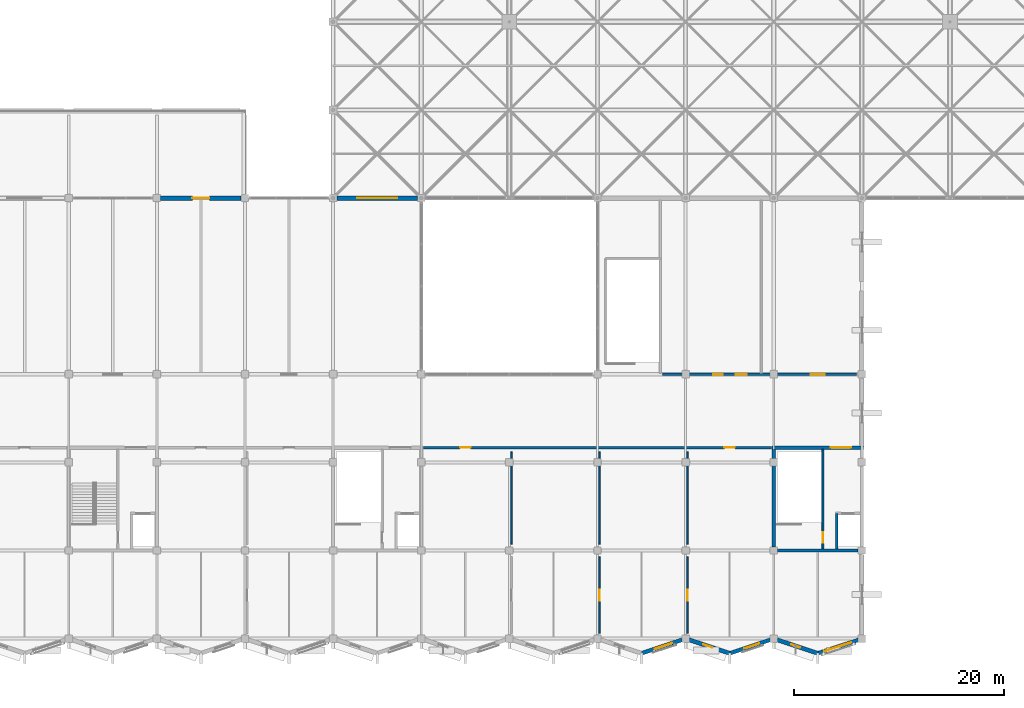
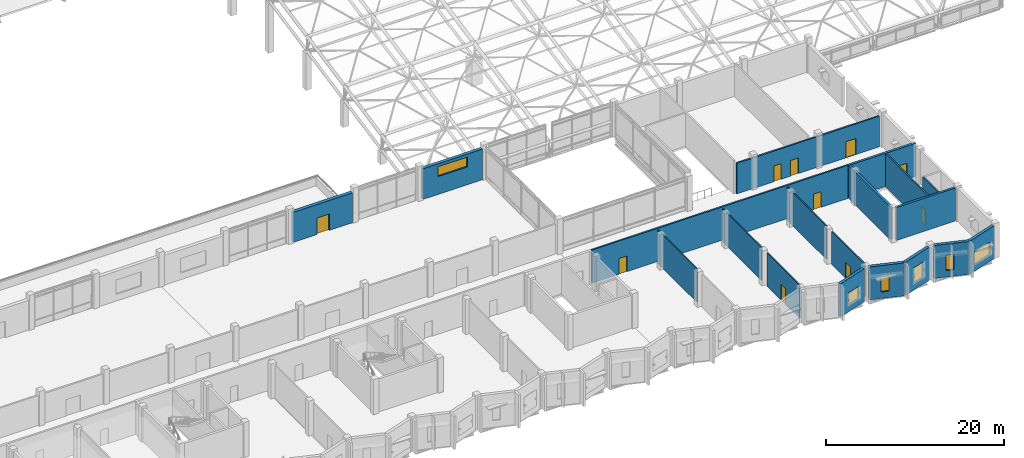
# One storey, part 91 of 110: 19 walls, 10 doors, 6 windows, 16 openings.
"""IFC4 building model written with IfcOpenShell, lengths in metres."""

import ifcopenshell
import ifcopenshell.guid

model = None  # the IFC model being written
_history = None  # IfcOwnerHistory: only IFC2X3 demands one
_inside = {}  # id of a spatial element -> (the spatial element, [elements in it])
_under = {}  # id of a project, library or spatial element -> (it, [spatial elements below it])
_declared = {}  # id of a project -> (the project, [libraries it declares])
_typed = {}  # id of a type object -> (the type object, [elements of that type])
_made_of = {}  # id of a material, layer set ... -> (it, [elements and type objects made of it])


def new_model(schema):
    """Start an empty IFC model of exactly this schema.

    Asked for "IFC4X3", IfcOpenShell would pick the latest addendum, in which some entities
    have other attributes; the version numbers below select the first issue.
    IFC2X3 requires an IfcOwnerHistory on every rooted entity: one is made here for all.
    """
    global model, _history
    if schema == "IFC4X3":
        model = ifcopenshell.file(schema_version=(4, 3, 0, 0))
    else:
        model = ifcopenshell.file(schema=schema)
    _inside.clear()
    _under.clear()
    _declared.clear()
    _typed.clear()
    _made_of.clear()
    _history = None
    if model.schema == "IFC2X3":
        org = make("IfcOrganization", Name="unknown")
        user = make(
            "IfcPersonAndOrganization",
            ThePerson=make("IfcPerson", FamilyName="unknown"),
            TheOrganization=org,
        )
        app = make(
            "IfcApplication",
            ApplicationDeveloper=org,
            Version="unknown",
            ApplicationFullName="unknown",
            ApplicationIdentifier="unknown",
        )
        _history = make(
            "IfcOwnerHistory",
            OwningUser=user,
            OwningApplication=app,
            ChangeAction="ADDED",
            CreationDate=0,
        )
    return model


def make(cls, **values):
    """One entity of the class cls with the attributes given. An attribute that is None is left unset."""
    return model.create_entity(
        cls, **{name: value for name, value in values.items() if value is not None}
    )


def rooted(cls, **values):
    """An entity with a GlobalId (a new one), such as an element, a storey or a relation."""
    return make(cls, GlobalId=ifcopenshell.guid.new(), OwnerHistory=_history, **values)


def si_unit(unit_type, name, prefix=None):
    """IfcSIUnit, for example si_unit("LENGTHUNIT", "METRE", prefix="MILLI")."""
    return make("IfcSIUnit", UnitType=unit_type, Prefix=prefix, Name=name)


def assignment(units):
    """IfcUnitAssignment: the units of a project."""
    return None if units is None else make("IfcUnitAssignment", Units=units)


def point(xyz):
    """IfcCartesianPoint."""
    return None if xyz is None else make("IfcCartesianPoint", Coordinates=xyz)


def direction(xyz):
    """IfcDirection."""
    return None if xyz is None else make("IfcDirection", DirectionRatios=xyz)


def frame(location, z_axis=None, x_axis=None):
    """IfcAxis2Placement3D, a coordinate frame: its origin and axes. An axis left out is left unset."""
    return make(
        "IfcAxis2Placement3D",
        Location=point(location),
        Axis=direction(z_axis),
        RefDirection=direction(x_axis),
    )


def frame_2d(location, x_axis=None):
    """IfcAxis2Placement2D, a coordinate frame in the plane: its origin and x axis."""
    return make(
        "IfcAxis2Placement2D", Location=point(location), RefDirection=direction(x_axis)
    )


def origin():
    """The frame at (0, 0, 0) with its axes left unset."""
    return frame((0.0, 0.0, 0.0))


def place(relative_to, where):
    """IfcLocalPlacement: puts the frame where relative to a parent placement (None: the world)."""
    return make(
        "IfcLocalPlacement", PlacementRelTo=relative_to, RelativePlacement=where
    )


def context(
    kind, dimensions, precision=None, world=None, true_north=None, identifier=None
):
    """IfcGeometricRepresentationContext, for example the 3D "Model" context."""
    return make(
        "IfcGeometricRepresentationContext",
        ContextIdentifier=identifier,
        ContextType=kind,
        CoordinateSpaceDimension=dimensions,
        Precision=precision,
        WorldCoordinateSystem=world,
        TrueNorth=true_north,
    )


def subcontext(parent, identifier, kind, view, scale=None):
    """IfcGeometricRepresentationSubContext, for example "Body" below "Model"."""
    return make(
        "IfcGeometricRepresentationSubContext",
        ContextIdentifier=identifier,
        ContextType=kind,
        ParentContext=parent,
        TargetScale=scale,
        TargetView=view,
    )


def project(units=None, contexts=None):
    """IfcProject with its units and contexts."""
    return rooted(
        "IfcProject",
        Name="project",
        RepresentationContexts=contexts,
        UnitsInContext=assignment(units),
    )


def spatial(cls, under=None, at=None, **own):
    """A site, building, storey or space (cls), placed at a placement, below another one or the project."""
    s = rooted(cls, ObjectPlacement=at, **own)
    if under is not None:
        _under.setdefault(under.id(), (under, []))[1].append(s)
    return s


def profile(cls, at=None, kind="AREA", **sizes):
    """A parametric profile (cls). Its sizes go by their IFC names, for example OverallWidth=200.0."""
    return make(cls, ProfileType=kind, Position=at, **sizes)


def rectangle(**sizes):
    """IfcRectangleProfileDef."""
    return profile("IfcRectangleProfileDef", **sizes)


def extrude(swept, where, along, depth):
    """IfcExtrudedAreaSolid: the profile swept, set in the frame where, extruded along a direction by depth."""
    return make(
        "IfcExtrudedAreaSolid",
        SweptArea=swept,
        Position=where,
        ExtrudedDirection=direction(along),
        Depth=depth,
    )


def shape(context_of_items, identifier, shape_type, items):
    """IfcShapeRepresentation: the items that make up one representation, for example the "Body"."""
    return make(
        "IfcShapeRepresentation",
        ContextOfItems=context_of_items,
        RepresentationIdentifier=identifier,
        RepresentationType=shape_type,
        Items=items,
    )


def material(Name=None, Category=None):
    """IfcMaterial."""
    return make("IfcMaterial", Name=Name, Category=Category)


def layer(
    of_material, thickness, ventilated=None, Name=None, Category=None, Priority=None
):
    """IfcMaterialLayer: one layer of a wall or slab, of a material (None: an air gap)."""
    return make(
        "IfcMaterialLayer",
        Material=of_material,
        LayerThickness=thickness,
        IsVentilated=ventilated,
        Name=Name,
        Category=Category,
        Priority=Priority,
    )


def layer_set(layers, Name=None):
    """IfcMaterialLayerSet."""
    return make("IfcMaterialLayerSet", MaterialLayers=layers, LayerSetName=Name)


def made_of(thing, what):
    """Note that an element or type object is made of a material, layer set ...; save() writes the relation."""
    if what is not None:
        _made_of.setdefault(what.id(), (what, []))[1].append(thing)
    return thing


def type_object(cls, material=None, **own):
    """A type object (cls), such as IfcWallType, which elements share."""
    return made_of(rooted(cls, **own), material)


def element(
    cls,
    number,
    at=None,
    inside=None,
    cuts=None,
    type_object=None,
    material=None,
    context=None,
    identifier="Body",
    shape_type=None,
    held_by="IfcProductDefinitionShape",
    body=None,
    shapes=None,
    **own,
):
    """One element of the class cls, such as IfcWall. Its Tag is "e" and its number.

    at: its placement. inside: the storey or other place that contains it. cuts: it is an
    opening in that element (IfcRelVoidsElement). A single representation is given by context,
    identifier, shape_type and body (its items); several are given by shapes. held_by: the class
    of the entity that holds the representations. save() writes the other relations.
    """
    e = rooted(cls, Tag="e%d" % number, ObjectPlacement=at, **own)
    if body is not None:
        shapes = [shape(context, identifier, shape_type, body)]
    if shapes is not None:
        e.Representation = make(held_by, Representations=shapes)
    if inside is not None:
        _inside.setdefault(inside.id(), (inside, []))[1].append(e)
    if cuts is not None:
        rooted(
            "IfcRelVoidsElement", RelatingBuildingElement=cuts, RelatedOpeningElement=e
        )
    if type_object is not None:
        _typed.setdefault(type_object.id(), (type_object, []))[1].append(e)
    return made_of(e, material)


def fill(opening, filler):
    """IfcRelFillsElement: the door or window that sits in an opening."""
    return rooted(
        "IfcRelFillsElement",
        RelatingOpeningElement=opening,
        RelatedBuildingElement=filler,
    )


def aggregate(whole, parts):
    """IfcRelAggregates: a whole, such as a stair, and the parts it consists of."""
    return rooted("IfcRelAggregates", RelatingObject=whole, RelatedObjects=parts)


def save(model, path):
    """Write the relations noted so far, then the file.

    IfcRelAggregates (storeys below a building ...), IfcRelContainedInSpatialStructure (elements
    in a storey), IfcRelDefinesByType, IfcRelAssociatesMaterial and IfcRelDeclares: one each for
    every whole, place, type object, material and project.
    """
    for whole, parts in _under.values():
        aggregate(whole, parts)
    for where, things in _inside.values():
        rooted(
            "IfcRelContainedInSpatialStructure",
            RelatedElements=things,
            RelatingStructure=where,
        )
    for kind, things in _typed.values():
        rooted("IfcRelDefinesByType", RelatedObjects=things, RelatingType=kind)
    for what, things in _made_of.values():
        rooted("IfcRelAssociatesMaterial", RelatedObjects=things, RelatingMaterial=what)
    for by, libraries in _declared.values():
        rooted("IfcRelDeclares", RelatingContext=by, RelatedDefinitions=libraries)
    model.write(path)


model = new_model("IFC4")

# Units and contexts
model_context = context("Model", 3, precision=1e-05, world=origin(), true_north=direction((0.0, 1.0)))
body_context = subcontext(model_context, "Body", "Model", "MODEL_VIEW")
ifc_project = project(units=[si_unit("LENGTHUNIT", "METRE"), si_unit("AREAUNIT", "SQUARE_METRE"), si_unit("VOLUMEUNIT", "CUBIC_METRE"), si_unit("PLANEANGLEUNIT", "RADIAN"), si_unit("MASSUNIT", "GRAM", prefix="KILO")], contexts=[model_context])

# Site, building, storey
site_placement = place(None, origin())
site = spatial("IfcSite", under=ifc_project, at=site_placement, CompositionType="ELEMENT")
building_placement = place(site_placement, origin())
building = spatial("IfcBuilding", under=site, at=building_placement, Name="Qawsi Khor Wholesale Market", CompositionType="ELEMENT")
storey_placement = place(building_placement, frame((0.0, 0.0, 11.39990234375)))
storey = spatial("IfcBuildingStorey", under=building, at=storey_placement, Name="L02", CompositionType="ELEMENT", Elevation=11.39990234375)

# Walls
ifc_material_1 = material(Name="Concrete C40/50", Category="concrete")
ifc_layer_1 = layer(ifc_material_1, 0.300048828125, Name="Concrete C40/50")
ifc_layer_set_1 = layer_set([ifc_layer_1], Name="Concrete C40/50")
wall_type_1 = type_object("IfcWallType", Name="Core Shear Wall RC 300 C40/50", PredefinedType="SHEAR", material=ifc_layer_set_1)
wall_1_placement = place(storey_placement, frame((192.844970703125, 8.39990234375, 0.0), z_axis=(0.0, 0.0, 1.0), x_axis=(-1.0, 0.0, 0.0)))
element("IfcWall", 1, at=wall_1_placement, inside=storey, type_object=wall_type_1, Name="Core C06 south shear wall L02", PredefinedType="SHEAR", context=body_context, shape_type="SweptSolid", body=[
    extrude(rectangle(XDim=7.68994140625, YDim=0.300048828125, at=frame_2d((3.844970703125, 0.0))), origin(), (0.0, 0.0, 1.0), 4.52001953125),
])
wall_2_placement = place(storey_placement, frame((184.800048828125, 8.7548828125, 0.0), z_axis=(0.0, 0.0, 1.0), x_axis=(0.0, 1.0, 0.0)))
element("IfcWall", 2, at=wall_2_placement, inside=storey, type_object=wall_type_1, Name="Core C06 west shear wall L02", PredefinedType="SHEAR", context=body_context, shape_type="SweptSolid", body=[
    extrude(rectangle(XDim=9.295166015625, YDim=0.300048828125, at=frame_2d((4.6474609375, 0.0))), origin(), (0.0, 0.0, 1.0), 4.52001953125),
])

# Wall, opening, door
wall_3_placement = place(storey_placement, frame((184.64990234375, 18.199951171875, 0.0), z_axis=(0.0, 0.0, 1.0), x_axis=(1.0, 0.0, 0.0)))
wall_3 = element("IfcWall", 3, at=wall_3_placement, inside=storey, type_object=wall_type_1, Name="Core C06 north shear wall L02", PredefinedType="SHEAR", context=body_context, shape_type="SweptSolid", body=[
    extrude(rectangle(XDim=8.7001953125, YDim=0.300048828125, at=frame_2d((4.35009765625, 0.0))), origin(), (0.0, 0.0, 1.0), 4.52001953125),
])
opening_1_placement = place(wall_3_placement, frame((5.570068359375, 0.0, 0.0)))
opening_1 = element("IfcOpeningElement", 4, at=opening_1_placement, cuts=wall_3, Name="Opening ID-01", PredefinedType="OPENING", context=body_context, shape_type="SweptSolid", body=[
    extrude(rectangle(XDim=1.9599609375, YDim=2.199951171875, at=frame_2d((0.97998046875, 1.10009765625))), frame((0.0, 0.159912109375, 0.0), z_axis=(0.0, -1.0, 0.0), x_axis=(1.0, 0.0, 0.0)), (0.0, 0.0, 1.0), 0.320068359375),
])
ifc_material_2 = material(Name="Steel Fire Door", Category="steel")
door_type_1 = type_object("IfcDoorType", Name="Stair & Core Fire Door 1960x2200 FD90S", OperationType="NOTDEFINED", PredefinedType="DOOR", material=ifc_material_2)
door_1_placement = place(opening_1_placement, origin())
door_1 = element("IfcDoor", 5, at=door_1_placement, inside=storey, type_object=door_type_1, Name="Core C06 fire door L02", OperationType="DOUBLE_DOOR_SINGLE_SWING", OverallHeight=2.199951171875, OverallWidth=1.9599609375, PredefinedType="DOOR", context=body_context, shape_type="SweptSolid", body=[
    extrude(rectangle(XDim=1.9599609375, YDim=2.199951171875, at=frame_2d((0.97998046875, 1.10009765625))), frame((0.0, 0.02490234375, 0.0), z_axis=(0.0, -1.0, 0.0), x_axis=(1.0, 0.0, 0.0)), (0.0, 0.0, 1.0), 0.050048828125),
])
fill(opening_1, door_1)

# Wall, openings, doors
ifc_material_3 = material(Name="Gypsum Fireboard on Steel Stud", Category="steel")
ifc_layer_2 = layer(ifc_material_3, 0.2099609375, Name="Gypsum Fireboard on Steel Stud")
ifc_layer_set_2 = layer_set([ifc_layer_2], Name="Gypsum Fireboard on Steel Stud")
wall_type_2 = type_object("IfcWallType", Name="Corridor Fire Partition Wall 210", PredefinedType="PARTITIONING", material=ifc_layer_set_2)
wall_4_placement = place(storey_placement, frame((151.39990234375, 18.199951171875, 0.0), z_axis=(0.0, 0.0, 1.0), x_axis=(1.0, 0.0, 0.0)))
wall_4 = element("IfcWall", 6, at=wall_4_placement, inside=storey, type_object=wall_type_2, Name="PW-L02-087", PredefinedType="PARTITIONING", context=body_context, shape_type="SweptSolid", body=[
    extrude(rectangle(XDim=33.2001953125, YDim=0.2099609375, at=frame_2d((16.60009765625, 0.0))), origin(), (0.0, 0.0, 1.0), 4.550048828125),
])
opening_2_placement = place(wall_4_placement, frame((3.5, 0.0, 0.0)))
opening_2 = element("IfcOpeningElement", 7, at=opening_2_placement, cuts=wall_4, Name="Opening ID-06", PredefinedType="OPENING", context=body_context, shape_type="SweptSolid", body=[
    extrude(rectangle(XDim=1.0, YDim=2.14990234375, at=frame_2d((0.5, 1.074951171875))), frame((0.0, 0.114990234375, 0.0), z_axis=(0.0, -1.0, 0.0), x_axis=(1.0, 0.0, 0.0)), (0.0, 0.0, 1.0), 0.22998046875),
])
opening_3_placement = place(wall_4_placement, frame((28.699951171875, 0.0, 0.0)))
opening_3 = element("IfcOpeningElement", 8, at=opening_3_placement, cuts=wall_4, Name="Opening ID-06", PredefinedType="OPENING", context=body_context, shape_type="SweptSolid", body=[
    extrude(rectangle(XDim=1.0, YDim=2.14990234375, at=frame_2d((0.5, 1.074951171875))), frame((0.0, 0.114990234375, 0.0), z_axis=(0.0, -1.0, 0.0), x_axis=(1.0, 0.0, 0.0)), (0.0, 0.0, 1.0), 0.22998046875),
])
ifc_material_4 = material(Name="Hardwood Timber Veneer", Category="wood")
door_type_2 = type_object("IfcDoorType", Name="Traders Office Single Door 1000x2150", OperationType="NOTDEFINED", PredefinedType="DOOR", material=ifc_material_4)
door_2_placement = place(opening_2_placement, origin())
door_2 = element("IfcDoor", 9, at=door_2_placement, inside=storey, type_object=door_type_2, Name="Traders Office Single Door 1000x2150 L02-093", OperationType="SINGLE_SWING_LEFT", OverallHeight=2.14990234375, OverallWidth=1.0, PredefinedType="DOOR", context=body_context, shape_type="SweptSolid", body=[
    extrude(rectangle(XDim=1.0, YDim=2.14990234375, at=frame_2d((0.5, 1.074951171875))), frame((0.0, 0.02490234375, 0.0), z_axis=(0.0, -1.0, 0.0), x_axis=(1.0, 0.0, 0.0)), (0.0, 0.0, 1.0), 0.050048828125),
])
fill(opening_2, door_2)
door_3_placement = place(opening_3_placement, origin())
door_3 = element("IfcDoor", 10, at=door_3_placement, inside=storey, type_object=door_type_2, Name="Traders Office Single Door 1000x2150 L02-094", OperationType="SINGLE_SWING_RIGHT", OverallHeight=2.14990234375, OverallWidth=1.0, PredefinedType="DOOR", context=body_context, shape_type="SweptSolid", body=[
    extrude(rectangle(XDim=1.0, YDim=2.14990234375, at=frame_2d((0.5, 1.074951171875))), frame((0.0, 0.02490234375, 0.0), z_axis=(0.0, -1.0, 0.0), x_axis=(1.0, 0.0, 0.0)), (0.0, 0.0, 1.0), 0.050048828125),
])
fill(opening_3, door_3)

wall_5_placement = place(storey_placement, frame((174.199951171875, 25.199951171875, 0.0), z_axis=(0.0, 0.0, 1.0), x_axis=(1.0, 0.0, 0.0)))
wall_5 = element("IfcWall", 11, at=wall_5_placement, inside=storey, type_object=wall_type_2, Name="PW-L02-096", PredefinedType="PARTITIONING", context=body_context, shape_type="SweptSolid", body=[
    extrude(rectangle(XDim=18.5, YDim=0.2099609375, at=frame_2d((9.25, 0.0))), origin(), (0.0, 0.0, 1.0), 4.2001953125),
])
opening_4_placement = place(wall_5_placement, frame((4.840087890625, 0.0, 0.0)))
opening_4 = element("IfcOpeningElement", 12, at=opening_4_placement, cuts=wall_5, Name="Opening ID-11", PredefinedType="OPENING", context=body_context, shape_type="SweptSolid", body=[
    extrude(rectangle(XDim=0.919921875, YDim=2.139892578125, at=frame_2d((0.4599609375, 1.06982421875))), frame((0.0, 0.114990234375, 0.0), z_axis=(0.0, -1.0, 0.0), x_axis=(1.0, 0.0, 0.0)), (0.0, 0.0, 1.0), 0.22998046875),
])
opening_5_placement = place(wall_5_placement, frame((6.985107421875, 0.0, 0.0)))
opening_5 = element("IfcOpeningElement", 13, at=opening_5_placement, cuts=wall_5, Name="Opening ID-12", PredefinedType="OPENING", context=body_context, shape_type="SweptSolid", body=[
    extrude(rectangle(XDim=1.030029296875, YDim=2.14990234375, at=frame_2d((0.51513671875, 1.074951171875))), frame((0.0, 0.114990234375, 0.0), z_axis=(0.0, -1.0, 0.0), x_axis=(1.0, 0.0, 0.0)), (0.0, 0.0, 1.0), 0.22998046875),
])
opening_6_placement = place(wall_5_placement, frame((14.139892578125, 0.0, 0.0)))
opening_6 = element("IfcOpeningElement", 14, at=opening_6_placement, cuts=wall_5, Name="Opening ID-13", PredefinedType="OPENING", context=body_context, shape_type="SweptSolid", body=[
    extrude(rectangle(XDim=1.320068359375, YDim=2.199951171875, at=frame_2d((0.66015625, 1.10009765625))), frame((0.0, 0.114990234375, 0.0), z_axis=(0.0, -1.0, 0.0), x_axis=(1.0, 0.0, 0.0)), (0.0, 0.0, 1.0), 0.22998046875),
])
ifc_material_5 = material(Name="High-Pressure Laminate", Category="steel")
door_type_3 = type_object("IfcDoorType", Name="Accessible WC Door 1030x2150", OperationType="NOTDEFINED", PredefinedType="DOOR", material=ifc_material_5)
door_4_placement = place(opening_5_placement, origin())
door_4 = element("IfcDoor", 15, at=door_4_placement, inside=storey, type_object=door_type_3, Name="Accessible WC Door 1030x2150 L02-107", OperationType="SINGLE_SWING_RIGHT", OverallHeight=2.14990234375, OverallWidth=1.030029296875, PredefinedType="DOOR", context=body_context, shape_type="SweptSolid", body=[
    extrude(rectangle(XDim=1.030029296875, YDim=2.14990234375, at=frame_2d((0.51513671875, 1.074951171875))), frame((0.0, 0.02490234375, 0.0), z_axis=(0.0, -1.0, 0.0), x_axis=(1.0, 0.0, 0.0)), (0.0, 0.0, 1.0), 0.050048828125),
])
fill(opening_5, door_4)
ifc_material_6 = material(Name="Galvanised Steel Fire Door", Category="steel")
door_type_4 = type_object("IfcDoorType", Name="Plant & Riser Fire Door 1320x2200 FD90S", OperationType="NOTDEFINED", PredefinedType="DOOR", material=ifc_material_6)
door_5_placement = place(opening_6_placement, origin())
door_5 = element("IfcDoor", 16, at=door_5_placement, inside=storey, type_object=door_type_4, Name="Plant & Riser Fire Door 1320x2200 FD90S L02-108", OperationType="SINGLE_SWING_RIGHT", OverallHeight=2.199951171875, OverallWidth=1.320068359375, PredefinedType="DOOR", context=body_context, shape_type="SweptSolid", body=[
    extrude(rectangle(XDim=1.320068359375, YDim=2.199951171875, at=frame_2d((0.66015625, 1.10009765625))), frame((0.0, 0.02490234375, 0.0), z_axis=(0.0, -1.0, 0.0), x_axis=(1.0, 0.0, 0.0)), (0.0, 0.0, 1.0), 0.050048828125),
])
fill(opening_6, door_5)
door_type_5 = type_object("IfcDoorType", Name="Public Toilet Entrance Door 920x2140", OperationType="NOTDEFINED", PredefinedType="DOOR", material=ifc_material_5)
door_6_placement = place(opening_4_placement, origin())
door_6 = element("IfcDoor", 17, at=door_6_placement, inside=storey, type_object=door_type_5, Name="Public Toilet Entrance Door 920x2140 L02-106", OperationType="SINGLE_SWING_LEFT", OverallHeight=2.139892578125, OverallWidth=0.919921875, PredefinedType="DOOR", context=body_context, shape_type="SweptSolid", body=[
    extrude(rectangle(XDim=0.919921875, YDim=2.139892578125, at=frame_2d((0.4599609375, 1.06982421875))), frame((0.0, 0.02490234375, 0.0), z_axis=(0.0, -1.0, 0.0), x_axis=(1.0, 0.0, 0.0)), (0.0, 0.0, 1.0), 0.050048828125),
])
fill(opening_4, door_6)

# Walls
ifc_layer_3 = layer(ifc_material_1, 0.219970703125, Name="Concrete C40/50")
ifc_layer_set_3 = layer_set([ifc_layer_3], Name="Concrete C40/50")
wall_type_3 = type_object("IfcWallType", Name="Lift & Stair Shaft Wall RC 220", PredefinedType="SOLIDWALL", material=ifc_layer_set_3)
wall_6_placement = place(storey_placement, frame((190.81005859375, 8.56005859375, 0.0), z_axis=(0.0, 0.0, 1.0), x_axis=(0.0, 1.0, 0.0)))
element("IfcWall", 18, at=wall_6_placement, inside=storey, type_object=wall_type_3, Name="Lift PL-04 shaft wall W L02", PredefinedType="SOLIDWALL", context=body_context, shape_type="SweptSolid", body=[
    extrude(rectangle(XDim=3.389892578125, YDim=0.219970703125, at=frame_2d((1.69482421875, 0.0))), origin(), (0.0, 0.0, 1.0), 4.52001953125),
])
ifc_material_7 = material(Name="Gypsum Board on Metal Stud", Category="gypsum")
ifc_layer_4 = layer(ifc_material_7, 0.14990234375, Name="Gypsum Board on Metal Stud")
ifc_layer_set_4 = layer_set([ifc_layer_4], Name="Gypsum Board on Metal Stud")
wall_type_4 = type_object("IfcWallType", Name="Office Partition Wall 150", PredefinedType="PARTITIONING", material=ifc_layer_set_4)
wall_7_placement = place(storey_placement, frame((159.800048828125, 9.0, 0.0), z_axis=(0.0, 0.0, 1.0), x_axis=(0.0, 1.0, 0.0)))
element("IfcWall", 19, at=wall_7_placement, inside=storey, type_object=wall_type_4, Name="PW-L02-089", PredefinedType="PARTITIONING", context=body_context, shape_type="SweptSolid", body=[
    extrude(rectangle(XDim=8.800048828125, YDim=0.14990234375, at=frame_2d((4.39990234375, 0.0))), origin(), (0.0, 0.0, 1.0), 4.550048828125),
])

# Wall, opening, door
wall_8_placement = place(storey_placement, frame((168.199951171875, 0.5, 0.0), z_axis=(0.0, 0.0, 1.0), x_axis=(0.0, 1.0, 0.0)))
wall_8 = element("IfcWall", 20, at=wall_8_placement, inside=storey, type_object=wall_type_4, Name="PW-L02-090", PredefinedType="PARTITIONING", context=body_context, shape_type="SweptSolid", body=[
    extrude(rectangle(XDim=7.300048828125, YDim=0.14990234375, at=frame_2d((3.64990234375, 0.0))), origin(), (0.0, 0.0, 1.0), 4.550048828125),
])
opening_7_placement = place(wall_8_placement, frame((3.10009765625, 0.0, 0.0)))
opening_7 = element("IfcOpeningElement", 21, at=opening_7_placement, cuts=wall_8, Name="Opening ID-07", PredefinedType="OPENING", context=body_context, shape_type="SweptSolid", body=[
    extrude(rectangle(XDim=1.06005859375, YDim=2.179931640625, at=frame_2d((0.530029296875, 1.08984375))), frame((0.0, 0.0849609375, 0.0), z_axis=(0.0, -1.0, 0.0), x_axis=(1.0, 0.0, 0.0)), (0.0, 0.0, 1.0), 0.169921875),
])
door_type_6 = type_object("IfcDoorType", Name="Clearinghouse Suite Door 1060x2180", OperationType="NOTDEFINED", PredefinedType="DOOR", material=ifc_material_4)
door_7_placement = place(opening_7_placement, origin())
door_7 = element("IfcDoor", 22, at=door_7_placement, inside=storey, type_object=door_type_6, Name="Clearinghouse Suite Door 1060x2180 L02-096", OperationType="SINGLE_SWING_LEFT", OverallHeight=2.179931640625, OverallWidth=1.06005859375, PredefinedType="DOOR", context=body_context, shape_type="SweptSolid", body=[
    extrude(rectangle(XDim=1.06005859375, YDim=2.179931640625, at=frame_2d((0.530029296875, 1.08984375))), frame((0.0, 0.02490234375, 0.0), z_axis=(0.0, -1.0, 0.0), x_axis=(1.0, 0.0, 0.0)), (0.0, 0.0, 1.0), 0.050048828125),
])
fill(opening_7, door_7)

# Wall
wall_9_placement = place(storey_placement, frame((168.199951171875, 9.0, 0.0), z_axis=(0.0, 0.0, 1.0), x_axis=(0.0, 1.0, 0.0)))
element("IfcWall", 23, at=wall_9_placement, inside=storey, type_object=wall_type_4, Name="PW-L02-091", PredefinedType="PARTITIONING", context=body_context, shape_type="SweptSolid", body=[
    extrude(rectangle(XDim=8.800048828125, YDim=0.14990234375, at=frame_2d((4.39990234375, 0.0))), origin(), (0.0, 0.0, 1.0), 4.550048828125),
])

# Wall, opening, door
wall_10_placement = place(storey_placement, frame((176.60009765625, 0.5, 0.0), z_axis=(0.0, 0.0, 1.0), x_axis=(0.0, 1.0, 0.0)))
wall_10 = element("IfcWall", 24, at=wall_10_placement, inside=storey, type_object=wall_type_4, Name="PW-L02-092", PredefinedType="PARTITIONING", context=body_context, shape_type="SweptSolid", body=[
    extrude(rectangle(XDim=7.300048828125, YDim=0.14990234375, at=frame_2d((3.64990234375, 0.0))), origin(), (0.0, 0.0, 1.0), 4.550048828125),
])
opening_8_placement = place(wall_10_placement, frame((3.10009765625, 0.0, 0.0)))
opening_8 = element("IfcOpeningElement", 25, at=opening_8_placement, cuts=wall_10, Name="Opening ID-07", PredefinedType="OPENING", context=body_context, shape_type="SweptSolid", body=[
    extrude(rectangle(XDim=1.06005859375, YDim=2.179931640625, at=frame_2d((0.530029296875, 1.08984375))), frame((0.0, 0.0849609375, 0.0), z_axis=(0.0, -1.0, 0.0), x_axis=(1.0, 0.0, 0.0)), (0.0, 0.0, 1.0), 0.169921875),
])
door_8_placement = place(opening_8_placement, origin())
door_8 = element("IfcDoor", 26, at=door_8_placement, inside=storey, type_object=door_type_6, Name="Clearinghouse Suite Door 1060x2180 L02-097", OperationType="SINGLE_SWING_RIGHT", OverallHeight=2.179931640625, OverallWidth=1.06005859375, PredefinedType="DOOR", context=body_context, shape_type="SweptSolid", body=[
    extrude(rectangle(XDim=1.06005859375, YDim=2.179931640625, at=frame_2d((0.530029296875, 1.08984375))), frame((0.0, 0.02490234375, 0.0), z_axis=(0.0, -1.0, 0.0), x_axis=(1.0, 0.0, 0.0)), (0.0, 0.0, 1.0), 0.050048828125),
])
fill(opening_8, door_8)

# Wall
wall_11_placement = place(storey_placement, frame((176.60009765625, 9.0, 0.0), z_axis=(0.0, 0.0, 1.0), x_axis=(0.0, 1.0, 0.0)))
element("IfcWall", 27, at=wall_11_placement, inside=storey, type_object=wall_type_4, Name="PW-L02-093", PredefinedType="PARTITIONING", context=body_context, shape_type="SweptSolid", body=[
    extrude(rectangle(XDim=8.800048828125, YDim=0.14990234375, at=frame_2d((4.39990234375, 0.0))), origin(), (0.0, 0.0, 1.0), 4.550048828125),
])

# Wall, opening, door
ifc_layer_5 = layer(ifc_material_1, 0.429931640625, Name="Concrete C40/50")
ifc_layer_set_5 = layer_set([ifc_layer_5], Name="Concrete C40/50")
wall_type_5 = type_object("IfcWallType", Name="Sculpted Ribbed Concrete Facade Wall 430", PredefinedType="SOLIDWALL", material=ifc_layer_set_5)
wall_12_placement = place(storey_placement, frame((126.35498046875, 42.0, 0.0), z_axis=(0.0, 0.0, 1.0), x_axis=(1.0, 0.0, 0.0)))
wall_12 = element("IfcWall", 28, at=wall_12_placement, inside=storey, type_object=wall_type_5, Name="EW-L02-SWN-15", PredefinedType="SOLIDWALL", context=body_context, shape_type="SweptSolid", body=[
    extrude(rectangle(XDim=7.68994140625, YDim=0.429931640625, at=frame_2d((3.844970703125, 0.0))), origin(), (0.0, 0.0, 1.0), 4.110107421875),
])
opening_9_placement = place(wall_12_placement, frame((3.034912109375, 0.0, 0.0)))
opening_9 = element("IfcOpeningElement", 29, at=opening_9_placement, cuts=wall_12, Name="Opening ED-05", PredefinedType="OPENING", context=body_context, shape_type="SweptSolid", body=[
    extrude(rectangle(XDim=1.6201171875, YDim=2.260009765625, at=frame_2d((0.81005859375, 1.1298828125))), frame((0.0, 0.224853515625, 0.0), z_axis=(0.0, -1.0, 0.0), x_axis=(1.0, 0.0, 0.0)), (0.0, 0.0, 1.0), 0.449951171875),
])
ifc_material_8 = material(Name="Powder-Coated Galvanised Steel & Glazing", Category="steel")
door_type_7 = type_object("IfcDoorType", Name="Terrace Access Glazed Door 1620x2260", OperationType="NOTDEFINED", PredefinedType="DOOR", material=ifc_material_8)
door_9_placement = place(opening_9_placement, origin())
door_9 = element("IfcDoor", 30, at=door_9_placement, inside=storey, type_object=door_type_7, Name="Terrace door L02 Court Balcony 15", OperationType="DOUBLE_DOOR_SINGLE_SWING", OverallHeight=2.260009765625, OverallWidth=1.6201171875, PredefinedType="DOOR", context=body_context, shape_type="SweptSolid", body=[
    extrude(rectangle(XDim=1.6201171875, YDim=2.260009765625, at=frame_2d((0.81005859375, 1.1298828125))), frame((0.0, 0.02490234375, 0.0), z_axis=(0.0, -1.0, 0.0), x_axis=(1.0, 0.0, 0.0)), (0.0, 0.0, 1.0), 0.050048828125),
])
fill(opening_9, door_9)

# Wall, opening, window
wall_13_placement = place(storey_placement, frame((143.155029296875, 42.0, 0.0), z_axis=(0.0, 0.0, 1.0), x_axis=(1.0, 0.0, 0.0)))
wall_13 = element("IfcWall", 31, at=wall_13_placement, inside=storey, type_object=wall_type_5, Name="EW-L02-SWF-17", PredefinedType="SOLIDWALL", context=body_context, shape_type="SweptSolid", body=[
    extrude(rectangle(XDim=7.68994140625, YDim=0.429931640625, at=frame_2d((3.844970703125, 0.0))), origin(), (0.0, 0.0, 1.0), 4.2001953125),
])
opening_10_placement = place(wall_13_placement, frame((1.945068359375, 0.0, 2.449951171875)))
opening_10 = element("IfcOpeningElement", 32, at=opening_10_placement, cuts=wall_13, Name="Opening W-16", PredefinedType="OPENING", context=body_context, shape_type="SweptSolid", body=[
    extrude(rectangle(XDim=3.800048828125, YDim=1.35009765625, at=frame_2d((1.89990234375, 0.675048828125))), frame((0.0, 0.224853515625, 0.0), z_axis=(0.0, -1.0, 0.0), x_axis=(1.0, 0.0, 0.0)), (0.0, 0.0, 1.0), 0.449951171875),
])
ifc_material_9 = material(Name="Thermally Broken Aluminium & Low-E Glass", Category="aluminium")
window_type_1 = type_object("IfcWindowType", Name="Win W-16 Auction High Clerestory 3800x1350", PartitioningType="SINGLE_PANEL", PredefinedType="WINDOW", material=ifc_material_9)
window_1_placement = place(opening_10_placement, origin())
window_1 = element("IfcWindow", 33, at=window_1_placement, inside=storey, type_object=window_type_1, Name="Win W-16 Auction High Clerestory 3800x1350 137", OverallHeight=1.35009765625, OverallWidth=3.800048828125, PartitioningType="SINGLE_PANEL", PredefinedType="WINDOW", context=body_context, shape_type="SweptSolid", body=[
    extrude(rectangle(XDim=3.800048828125, YDim=1.35009765625, at=frame_2d((1.89990234375, 0.675048828125))), frame((0.0, 0.030029296875, 0.0), z_axis=(0.0, -1.0, 0.0), x_axis=(1.0, 0.0, 0.0)), (0.0, 0.0, 1.0), 0.06005859375),
])
fill(opening_10, window_1)

# Wall, opening, door
ifc_layer_6 = layer(ifc_material_1, 0.18994140625, Name="Concrete C40/50")
ifc_layer_set_6 = layer_set([ifc_layer_6], Name="Concrete C40/50")
wall_type_6 = type_object("IfcWallType", Name="Stairwell Enclosure Wall RC 190", PredefinedType="SOLIDWALL", material=ifc_layer_set_6)
wall_14_placement = place(storey_placement, frame((189.47998046875, 8.56005859375, 0.0), z_axis=(0.0, 0.0, 1.0), x_axis=(0.0, 1.0, 0.0)))
wall_14 = element("IfcWall", 34, at=wall_14_placement, inside=storey, type_object=wall_type_6, Name="Core C06 stairwell enclosure wall L02", PredefinedType="SOLIDWALL", context=body_context, shape_type="SweptSolid", body=[
    extrude(rectangle(XDim=9.47998046875, YDim=0.18994140625, at=frame_2d((4.739990234375, 0.0))), origin(), (0.0, 0.0, 1.0), 4.52001953125),
])
opening_11_placement = place(wall_14_placement, frame((0.580078125, 0.0, 0.0)))
opening_11 = element("IfcOpeningElement", 35, at=opening_11_placement, cuts=wall_14, Name="Opening ID-17", PredefinedType="OPENING", context=body_context, shape_type="SweptSolid", body=[
    extrude(rectangle(XDim=0.97998046875, YDim=2.14990234375, at=frame_2d((0.489990234375, 1.074951171875))), frame((0.0, 0.10498046875, 0.0), z_axis=(0.0, -1.0, 0.0), x_axis=(1.0, 0.0, 0.0)), (0.0, 0.0, 1.0), 0.2099609375),
])
door_type_8 = type_object("IfcDoorType", Name="Core Stair Lobby Fire Door 980x2150 FD120S", OperationType="NOTDEFINED", PredefinedType="DOOR", material=ifc_material_2)
door_10_placement = place(opening_11_placement, origin())
door_10 = element("IfcDoor", 36, at=door_10_placement, inside=storey, type_object=door_type_8, Name="Core C06 stair enclosure fire door L02", OperationType="SINGLE_SWING_LEFT", OverallHeight=2.14990234375, OverallWidth=0.97998046875, PredefinedType="DOOR", context=body_context, shape_type="SweptSolid", body=[
    extrude(rectangle(XDim=0.97998046875, YDim=2.14990234375, at=frame_2d((0.489990234375, 1.074951171875))), frame((0.0, 0.02490234375, 0.0), z_axis=(0.0, -1.0, 0.0), x_axis=(1.0, 0.0, 0.0)), (0.0, 0.0, 1.0), 0.050048828125),
])
fill(opening_11, door_10)

# Wall, opening, window
ifc_layer_7 = layer(ifc_material_1, 0.3701171875, Name="Concrete C40/50")
ifc_layer_set_7 = layer_set([ifc_layer_7], Name="Concrete C40/50")
wall_type_7 = type_object("IfcWallType", Name="Turned-Bay Concrete Facade Wall 370", PredefinedType="SOLIDWALL", material=ifc_layer_set_7)
wall_15_placement = place(storey_placement, frame((176.063232421875, -0.1123046875, 0.0), z_axis=(0.0, 0.0, 1.0), x_axis=(-0.948695287956, -0.316191794027, 0.0)))
wall_15 = element("IfcWall", 37, at=wall_15_placement, inside=storey, type_object=wall_type_7, Name="EW-L02-SBAY-36", PredefinedType="SOLIDWALL", context=body_context, shape_type="SweptSolid", body=[
    extrude(rectangle(XDim=4.072265625, YDim=0.3701171875, at=frame_2d((2.0361328125, 0.0))), origin(), (0.0, 0.0, 1.0), 4.52001953125),
])
opening_12_placement = place(wall_15_placement, frame((0.998046875, 0.0, 0.89990234375)))
opening_12 = element("IfcOpeningElement", 38, at=opening_12_placement, cuts=wall_15, Name="Opening W-23", PredefinedType="OPENING", context=body_context, shape_type="SweptSolid", body=[
    extrude(rectangle(XDim=1.719970703125, YDim=1.699951171875, at=frame_2d((0.85986328125, 0.85009765625))), frame((0.0, 0.195068359375, 0.0), z_axis=(0.0, -1.0, 0.0), x_axis=(1.0, 0.0, 0.0)), (0.0, 0.0, 1.0), 0.39013671875),
])
window_type_2 = type_object("IfcWindowType", Name="Win W-23 East Office Punched 1720x1700", PartitioningType="SINGLE_PANEL", PredefinedType="WINDOW", material=ifc_material_9)
window_2_placement = place(opening_12_placement, origin())
window_2 = element("IfcWindow", 39, at=window_2_placement, inside=storey, type_object=window_type_2, Name="Win W-23 East Office Punched 1720x1700 076", OverallHeight=1.699951171875, OverallWidth=1.719970703125, PartitioningType="SINGLE_PANEL", PredefinedType="WINDOW", context=body_context, shape_type="SweptSolid", body=[
    extrude(rectangle(XDim=1.719970703125, YDim=1.699951171875, at=frame_2d((0.85986328125, 0.85009765625))), frame((0.0, 0.030029296875, 0.0), z_axis=(0.0, -1.0, 0.0), x_axis=(1.0, 0.0, 0.0)), (0.0, 0.0, 1.0), 0.06005859375),
])
fill(opening_12, window_2)

wall_16_placement = place(storey_placement, frame((184.463134765625, -0.1123046875, 0.0), z_axis=(0.0, 0.0, 1.0), x_axis=(-0.948689293515, -0.316209779056, 0.0)))
wall_16 = element("IfcWall", 40, at=wall_16_placement, inside=storey, type_object=wall_type_7, Name="EW-L02-SBAY-38", PredefinedType="SOLIDWALL", context=body_context, shape_type="SweptSolid", body=[
    extrude(rectangle(XDim=4.072021484375, YDim=0.3701171875, at=frame_2d((2.0361328125, 0.0))), origin(), (0.0, 0.0, 1.0), 4.52001953125),
])
opening_13_placement = place(wall_16_placement, frame((1.10791015625, 0.0, 0.89990234375)))
opening_13 = element("IfcOpeningElement", 41, at=opening_13_placement, cuts=wall_16, Name="Opening W-04", PredefinedType="OPENING", context=body_context, shape_type="SweptSolid", body=[
    extrude(rectangle(XDim=1.5, YDim=2.14990234375, at=frame_2d((0.75, 1.074951171875))), frame((0.0, 0.195068359375, 0.0), z_axis=(0.0, -1.0, 0.0), x_axis=(1.0, 0.0, 0.0)), (0.0, 0.0, 1.0), 0.39013671875),
])
window_type_3 = type_object("IfcWindowType", Name="Win W-04 Turned-Bay Wide 1500x2150", PartitioningType="SINGLE_PANEL", PredefinedType="WINDOW", material=ifc_material_9)
window_3_placement = place(opening_13_placement, origin())
window_3 = element("IfcWindow", 42, at=window_3_placement, inside=storey, type_object=window_type_3, Name="Win W-04 Turned-Bay Wide 1500x2150 078", OverallHeight=2.14990234375, OverallWidth=1.5, PartitioningType="SINGLE_PANEL", PredefinedType="WINDOW", context=body_context, shape_type="SweptSolid", body=[
    extrude(rectangle(XDim=1.5, YDim=2.14990234375, at=frame_2d((0.75, 1.074951171875))), frame((0.0, 0.030029296875, 0.0), z_axis=(0.0, -1.0, 0.0), x_axis=(1.0, 0.0, 0.0)), (0.0, 0.0, 1.0), 0.06005859375),
])
fill(opening_13, window_3)

wall_17_placement = place(storey_placement, frame((192.867431640625, -0.124267578125, 0.0), z_axis=(0.0, 0.0, 1.0), x_axis=(-0.949673776381, -0.313240671775, 0.0)))
wall_17 = element("IfcWall", 43, at=wall_17_placement, inside=storey, type_object=wall_type_7, Name="EW-L02-SBAY-40", PredefinedType="SOLIDWALL", context=body_context, shape_type="SweptSolid", body=[
    extrude(rectangle(XDim=4.072265625, YDim=0.3701171875, at=frame_2d((2.0361328125, 0.0))), origin(), (0.0, 0.0, 1.0), 4.52001953125),
])
opening_14_placement = place(wall_17_placement, frame((0.720947265625, 0.0, 0.89990234375)))
opening_14 = element("IfcOpeningElement", 44, at=opening_14_placement, cuts=wall_17, Name="Opening W-09", PredefinedType="OPENING", context=body_context, shape_type="SweptSolid", body=[
    extrude(rectangle(XDim=2.699951171875, YDim=1.75, at=frame_2d((1.35009765625, 0.875))), frame((0.0, 0.195068359375, 0.0), z_axis=(0.0, -1.0, 0.0), x_axis=(1.0, 0.0, 0.0)), (0.0, 0.0, 1.0), 0.39013671875),
])
window_type_4 = type_object("IfcWindowType", Name="Win W-09 Clearinghouse Wide 2700x1750", PartitioningType="SINGLE_PANEL", PredefinedType="WINDOW", material=ifc_material_9)
window_4_placement = place(opening_14_placement, origin())
window_4 = element("IfcWindow", 45, at=window_4_placement, inside=storey, type_object=window_type_4, Name="Win W-09 Clearinghouse Wide 2700x1750 080", OverallHeight=1.75, OverallWidth=2.699951171875, PartitioningType="SINGLE_PANEL", PredefinedType="WINDOW", context=body_context, shape_type="SweptSolid", body=[
    extrude(rectangle(XDim=2.699951171875, YDim=1.75, at=frame_2d((1.35009765625, 0.875))), frame((0.0, 0.030029296875, 0.0), z_axis=(0.0, -1.0, 0.0), x_axis=(1.0, 0.0, 0.0)), (0.0, 0.0, 1.0), 0.06005859375),
])
fill(opening_14, window_4)

ifc_layer_8 = layer(ifc_material_1, 0.389892578125, Name="Concrete C40/50")
ifc_layer_set_8 = layer_set([ifc_layer_8], Name="Concrete C40/50")
wall_type_8 = type_object("IfcWallType", Name="Turned-Bay Concrete Facade Wall 390", PredefinedType="SOLIDWALL", material=ifc_layer_set_8)
wall_18_placement = place(storey_placement, frame((180.60009765625, -1.39990234375, 0.0), z_axis=(0.0, 0.0, 1.0), x_axis=(-0.948695287956, 0.316191794027, 0.0)))
wall_18 = element("IfcWall", 46, at=wall_18_placement, inside=storey, type_object=wall_type_8, Name="EW-L02-SBAY-37", PredefinedType="SOLIDWALL", context=body_context, shape_type="SweptSolid", body=[
    extrude(rectangle(XDim=4.072265625, YDim=0.389892578125, at=frame_2d((2.0361328125, 0.0))), origin(), (0.0, 0.0, 1.0), 4.52001953125),
])
opening_15_placement = place(wall_18_placement, frame((1.762939453125, 0.0, 0.89990234375)))
opening_15 = element("IfcOpeningElement", 47, at=opening_15_placement, cuts=wall_18, Name="Opening W-02", PredefinedType="OPENING", context=body_context, shape_type="SweptSolid", body=[
    extrude(rectangle(XDim=0.89990234375, YDim=2.10009765625, at=frame_2d((0.449951171875, 1.050048828125))), frame((0.0, 0.204833984375, 0.0), z_axis=(0.0, -1.0, 0.0), x_axis=(1.0, 0.0, 0.0)), (0.0, 0.0, 1.0), 0.409912109375),
])
window_type_5 = type_object("IfcWindowType", Name="Win W-02 Deep-Set Narrow 900x2100", PartitioningType="SINGLE_PANEL", PredefinedType="WINDOW", material=ifc_material_9)
window_5_placement = place(opening_15_placement, origin())
window_5 = element("IfcWindow", 48, at=window_5_placement, inside=storey, type_object=window_type_5, Name="Win W-02 Deep-Set Narrow 900x2100 077", OverallHeight=2.10009765625, OverallWidth=0.89990234375, PartitioningType="SINGLE_PANEL", PredefinedType="WINDOW", context=body_context, shape_type="SweptSolid", body=[
    extrude(rectangle(XDim=0.89990234375, YDim=2.10009765625, at=frame_2d((0.449951171875, 1.050048828125))), frame((0.0, 0.030029296875, 0.0), z_axis=(0.0, -1.0, 0.0), x_axis=(1.0, 0.0, 0.0)), (0.0, 0.0, 1.0), 0.06005859375),
])
fill(opening_15, window_5)

wall_19_placement = place(storey_placement, frame((189.0, -1.39990234375, 0.0), z_axis=(0.0, 0.0, 1.0), x_axis=(-0.948695287956, 0.316191794027, 0.0)))
wall_19 = element("IfcWall", 49, at=wall_19_placement, inside=storey, type_object=wall_type_8, Name="EW-L02-SBAY-39", PredefinedType="SOLIDWALL", context=body_context, shape_type="SweptSolid", body=[
    extrude(rectangle(XDim=4.072265625, YDim=0.389892578125, at=frame_2d((2.0361328125, 0.0))), origin(), (0.0, 0.0, 1.0), 4.52001953125),
])
opening_16_placement = place(wall_19_placement, frame((1.762939453125, 0.0, 0.89990234375)))
opening_16 = element("IfcOpeningElement", 50, at=opening_16_placement, cuts=wall_19, Name="Opening W-02", PredefinedType="OPENING", context=body_context, shape_type="SweptSolid", body=[
    extrude(rectangle(XDim=0.89990234375, YDim=2.10009765625, at=frame_2d((0.449951171875, 1.050048828125))), frame((0.0, 0.204833984375, 0.0), z_axis=(0.0, -1.0, 0.0), x_axis=(1.0, 0.0, 0.0)), (0.0, 0.0, 1.0), 0.409912109375),
])
window_6_placement = place(opening_16_placement, origin())
window_6 = element("IfcWindow", 51, at=window_6_placement, inside=storey, type_object=window_type_5, Name="Win W-02 Deep-Set Narrow 900x2100 079", OverallHeight=2.10009765625, OverallWidth=0.89990234375, PartitioningType="SINGLE_PANEL", PredefinedType="WINDOW", context=body_context, shape_type="SweptSolid", body=[
    extrude(rectangle(XDim=0.89990234375, YDim=2.10009765625, at=frame_2d((0.449951171875, 1.050048828125))), frame((0.0, 0.030029296875, 0.0), z_axis=(0.0, -1.0, 0.0), x_axis=(1.0, 0.0, 0.0)), (0.0, 0.0, 1.0), 0.06005859375),
])
fill(opening_16, window_6)

save(model, "model.ifc")
